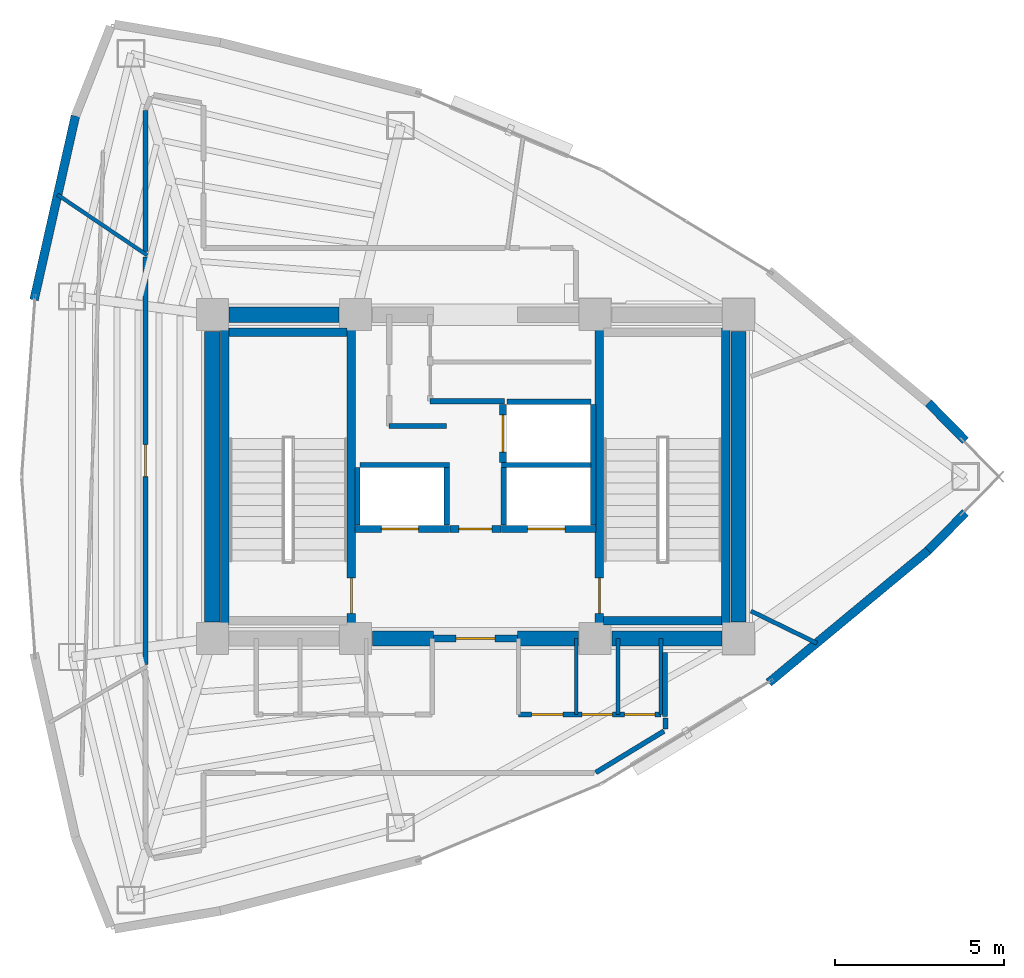
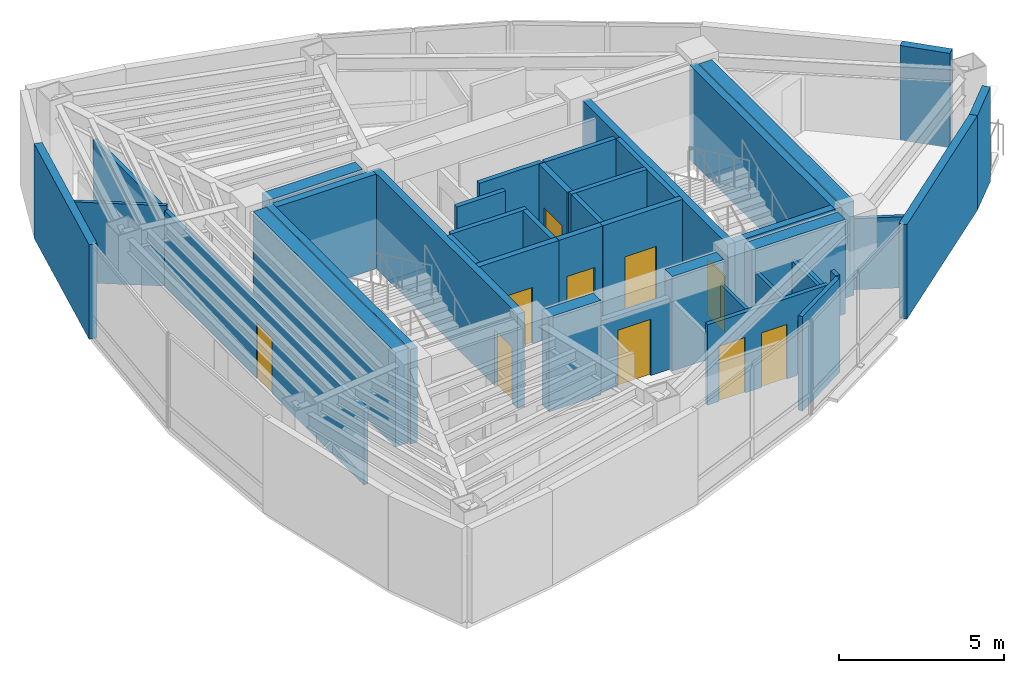
# One storey, part 12 of 16: 41 walls, 11 doors, 11 openings.
"""IFC4 building model written with IfcOpenShell, lengths in metres."""

from ifc_helpers import new_model, si_unit, direction, frame, frame_2d, origin, place, context, subcontext, project, spatial, rectangle, extrude, material, layer, layer_set, type_object, element, fill, save


model = new_model("IFC4")

# Units and contexts
model_context = context("Model", 3, precision=1e-05, world=origin(), true_north=direction((0.0, 1.0)))
body_context = subcontext(model_context, "Body", "Model", "MODEL_VIEW")
ifc_project = project(units=[si_unit("LENGTHUNIT", "METRE"), si_unit("AREAUNIT", "SQUARE_METRE"), si_unit("VOLUMEUNIT", "CUBIC_METRE"), si_unit("PLANEANGLEUNIT", "RADIAN"), si_unit("MASSUNIT", "GRAM", prefix="KILO")], contexts=[model_context])

# Site, building, storey
site_placement = place(None, origin())
site = spatial("IfcSite", under=ifc_project, at=site_placement, CompositionType="ELEMENT")
building_placement = place(site_placement, origin())
building = spatial("IfcBuilding", under=site, at=building_placement, Name="Menara Vayukalpa", CompositionType="ELEMENT")
storey_placement = place(building_placement, frame((0.0, 0.0, 273.179931640625)))
storey = spatial("IfcBuildingStorey", under=building, at=storey_placement, Name="L69", CompositionType="ELEMENT", Elevation=273.179931640625)

# Walls
ifc_material_1 = material(Name="Concrete C50/60", Category="concrete")
ifc_layer_1 = layer(ifc_material_1, 0.449951171875)
ifc_layer_set_1 = layer_set([ifc_layer_1], Name="Concrete C50/60")
wall_type_1 = type_object("IfcWallType", Name="WAL-CW450", PredefinedType="SHEAR", material=ifc_layer_set_1)
wall_1_placement = place(storey_placement, frame((22.544921875, 17.199951171875, 0.0), z_axis=(0.0, 0.0, 1.0), x_axis=(1.0, 0.0, 0.0)))
element("IfcWall", 1, at=wall_1_placement, inside=storey, type_object=wall_type_1, Name="L69 Buttressed Core Shear Wall CWS2", PredefinedType="SHEAR", context=body_context, shape_type="SweptSolid", body=[
    extrude(rectangle(XDim=1.80517578125, YDim=0.449951171875, at=frame_2d((0.902587890625, 0.0))), origin(), (0.0, 0.0, 1.0), 3.5),
])
wall_2_placement = place(storey_placement, frame((26.85009765625, 17.199951171875, 0.0), z_axis=(0.0, 0.0, 1.0), x_axis=(1.0, 0.0, 0.0)))
element("IfcWall", 2, at=wall_2_placement, inside=storey, type_object=wall_type_1, Name="L69 Buttressed Core Shear Wall CWS3", PredefinedType="SHEAR", context=body_context, shape_type="SweptSolid", body=[
    extrude(rectangle(XDim=1.804931640625, YDim=0.449951171875, at=frame_2d((0.90234375, 0.0))), origin(), (0.0, 0.0, 1.0), 3.5),
])
for number, where, z_axis, x_axis, name in (
    (3, (29.64501953125, 17.199951171875, 0.0), (0.0, 0.0, 1.0), (1.0, 0.0, 0.0), "L69 Buttressed Core Shear Wall CWS4"),
    (4, (18.294921875, 26.800048828125, 0.0), (0.0, 0.0, 1.0), (1.0, 0.0, 0.0), "L69 Buttressed Core Shear Wall CWN1"),
):
    element("IfcWall", number, at=place(storey_placement, frame(where, z_axis=z_axis, x_axis=x_axis)), inside=storey, type_object=wall_type_1, Name=name, PredefinedType="SHEAR", context=body_context, shape_type="SweptSolid", body=[
        extrude(rectangle(XDim=3.260009765625, YDim=0.449951171875, at=frame_2d((1.6298828125, 0.0))), origin(), (0.0, 0.0, 1.0), 3.5),
    ])
for number, where, z_axis, x_axis, name in (
    (5, (17.800048828125, 17.695068359375, 0.0), (0.0, 0.0, 1.0), (0.0, 1.0, 0.0), "L69 Buttressed Core Shear Wall CWW1"),
    (6, (33.39990234375, 17.695068359375, 0.0), (0.0, 0.0, 1.0), (0.0, 1.0, 0.0), "L69 Buttressed Core Shear Wall CWE1"),
):
    element("IfcWall", number, at=place(storey_placement, frame(where, z_axis=z_axis, x_axis=x_axis)), inside=storey, type_object=wall_type_1, Name=name, PredefinedType="SHEAR", context=body_context, shape_type="SweptSolid", body=[
        extrude(rectangle(XDim=8.60986328125, YDim=0.449951171875, at=frame_2d((4.304931640625, 0.0))), origin(), (0.0, 0.0, 1.0), 3.5),
    ])
ifc_material_2 = material(Name="Insulated Precast Concrete C40/50", Category="concrete")
ifc_layer_2 = layer(ifc_material_2, 0.260009765625)
ifc_layer_set_2 = layer_set([ifc_layer_2], Name="Insulated Precast Concrete C40/50")
wall_type_2 = type_object("IfcWallType", Name="WAL-EXT260", PredefinedType="PARTITIONING", material=ifc_layer_set_2)
for number, where, z_axis, x_axis, name in (
    (7, (40.1240234375, 20.932861328125, 0.0), (0.0, 0.0, 1.0), (-0.700470648387, -0.71368121087, 0.0), "L69 Perimeter Terracotta Pier Wall 01"),
    (8, (39.023681640625, 24.188232421875, 0.0), (0.0, 0.0, 1.0), (0.700470648387, -0.71368121087, 0.0), "L69 Perimeter Terracotta Pier Wall 02"),
):
    element("IfcWall", number, at=place(storey_placement, frame(where, z_axis=z_axis, x_axis=x_axis)), inside=storey, type_object=wall_type_2, Name=name, PredefinedType="PARTITIONING", context=body_context, shape_type="SweptSolid", body=[
        extrude(rectangle(XDim=1.57080078125, YDim=0.260009765625, at=frame_2d((0.785400390625, 0.0))), origin(), (0.0, 0.0, 1.0), 3.5),
    ])
wall_3_placement = place(storey_placement, frame((12.514892578125, 27.239501953125, 0.0), z_axis=(0.0, 0.0, 1.0), x_axis=(0.219500763731, 0.97561232809, 0.0)))
element("IfcWall", 9, at=wall_3_placement, inside=storey, type_object=wall_type_2, Name="L69 Perimeter Terracotta Pier Wall 09", PredefinedType="PARTITIONING", context=body_context, shape_type="SweptSolid", body=[
    extrude(rectangle(XDim=5.590087890625, YDim=0.260009765625, at=frame_2d((2.794921875, 0.0))), origin(), (0.0, 0.0, 1.0), 3.5),
])
wall_4_placement = place(storey_placement, frame((39.032470703125, 19.81982421875, 0.0), z_axis=(0.0, 0.0, 1.0), x_axis=(-0.769779830138, -0.638309496337, 0.0)))
element("IfcWall", 10, at=wall_4_placement, inside=storey, type_object=wall_type_2, Name="L69 Perimeter Terracotta Pier Wall 18", PredefinedType="PARTITIONING", context=body_context, shape_type="SweptSolid", body=[
    extrude(rectangle(XDim=6.154052734375, YDim=0.260009765625, at=frame_2d((3.0771484375, 0.0))), origin(), (0.0, 0.0, 1.0), 3.5),
])
ifc_material_3 = material(Name="Lightweight Concrete Blockwork C16/20", Category="masonry")
ifc_layer_3 = layer(ifc_material_3, 0.159912109375)
ifc_layer_set_3 = layer_set([ifc_layer_3], Name="Lightweight Concrete Blockwork C16/20")
wall_type_3 = type_object("IfcWallType", Name="WAL-FR150", PredefinedType="PARTITIONING", material=ifc_layer_set_3)
for number, where, z_axis, x_axis, name in (
    (11, (22.10498046875, 20.56005859375, 0.0), (0.0, 0.0, 1.0), (0.0, 1.0, 0.0), "L69 Interior Partition IW-L69-SHW-WW"),
    (12, (24.7548828125, 20.56005859375, 0.0), (0.0, 0.0, 1.0), (0.0, 1.0, 0.0), "L69 Interior Partition IW-L69-SHW-W1E"),
):
    element("IfcWall", number, at=place(storey_placement, frame(where, z_axis=z_axis, x_axis=x_axis)), inside=storey, type_object=wall_type_3, Name=name, PredefinedType="PARTITIONING", context=body_context, shape_type="SweptSolid", body=[
        extrude(rectangle(XDim=1.7099609375, YDim=0.159912109375, at=frame_2d((0.85498046875, 0.0))), origin(), (0.0, 0.0, 1.0), 3.5),
    ])
wall_5_placement = place(storey_placement, frame((22.179931640625, 22.344970703125, 0.0), z_axis=(0.0, 0.0, 1.0), x_axis=(1.0, 0.0, 0.0)))
element("IfcWall", 13, at=wall_5_placement, inside=storey, type_object=wall_type_3, Name="L69 Interior Partition IW-L69-SHM-W12", PredefinedType="PARTITIONING", context=body_context, shape_type="SweptSolid", body=[
    extrude(rectangle(XDim=2.650146484375, YDim=0.159912109375, at=frame_2d((1.3251953125, 0.0))), origin(), (0.0, 0.0, 1.0), 3.5),
])
wall_6_placement = place(storey_placement, frame((29.094970703125, 20.56005859375, 0.0), z_axis=(0.0, 0.0, 1.0), x_axis=(0.0, 1.0, 0.0)))
element("IfcWall", 14, at=wall_6_placement, inside=storey, type_object=wall_type_3, Name="L69 Interior Partition IW-L69-SHW-EE", PredefinedType="PARTITIONING", context=body_context, shape_type="SweptSolid", body=[
    extrude(rectangle(XDim=3.579833984375, YDim=0.159912109375, at=frame_2d((1.7900390625, 0.0))), origin(), (0.0, 0.0, 1.0), 3.5),
])
wall_7_placement = place(storey_placement, frame((26.445068359375, 20.56005859375, 0.0), z_axis=(0.0, 0.0, 1.0), x_axis=(0.0, 1.0, 0.0)))
element("IfcWall", 15, at=wall_7_placement, inside=storey, type_object=wall_type_3, Name="L69 Interior Partition IW-L69-SHW-E1W", PredefinedType="PARTITIONING", context=body_context, shape_type="SweptSolid", body=[
    extrude(rectangle(XDim=1.7099609375, YDim=0.159912109375, at=frame_2d((0.85498046875, 0.0))), origin(), (0.0, 0.0, 1.0), 3.5),
])
wall_8_placement = place(storey_placement, frame((26.3701171875, 22.344970703125, 0.0), z_axis=(0.0, 0.0, 1.0), x_axis=(1.0, 0.0, 0.0)))
element("IfcWall", 16, at=wall_8_placement, inside=storey, type_object=wall_type_3, Name="L69 Interior Partition IW-L69-SHM-E13", PredefinedType="PARTITIONING", context=body_context, shape_type="SweptSolid", body=[
    extrude(rectangle(XDim=2.64990234375, YDim=0.159912109375, at=frame_2d((1.324951171875, 0.0))), origin(), (0.0, 0.0, 1.0), 3.5),
])
wall_9_placement = place(storey_placement, frame((26.530029296875, 24.215087890625, 0.0), z_axis=(0.0, 0.0, 1.0), x_axis=(1.0, 0.0, 0.0)))
element("IfcWall", 17, at=wall_9_placement, inside=storey, type_object=wall_type_3, Name="L69 Interior Partition IW-L69-SHM-E32", PredefinedType="PARTITIONING", context=body_context, shape_type="SweptSolid", body=[
    extrude(rectangle(XDim=2.489990234375, YDim=0.159912109375, at=frame_2d((1.2451171875, 0.0))), origin(), (0.0, 0.0, 1.0), 3.5),
])
wall_10_placement = place(storey_placement, frame((23.0400390625, 23.5, 0.0), z_axis=(0.0, 0.0, 1.0), x_axis=(1.0, 0.0, 0.0)))
element("IfcWall", 18, at=wall_10_placement, inside=storey, type_object=wall_type_3, Name="L69 Interior Partition IW-L69-LV7WA", PredefinedType="PARTITIONING", context=body_context, shape_type="SweptSolid", body=[
    extrude(rectangle(XDim=1.699951171875, YDim=0.159912109375, at=frame_2d((0.85009765625, 0.0))), origin(), (0.0, 0.0, 1.0), 3.5),
])
wall_11_placement = place(storey_placement, frame((24.260009765625, 24.239990234375, 0.0), z_axis=(0.0, 0.0, 1.0), x_axis=(1.0, 0.0, 0.0)))
element("IfcWall", 19, at=wall_11_placement, inside=storey, type_object=wall_type_3, Name="L69 Interior Partition IW-L69-LV7EA", PredefinedType="PARTITIONING", context=body_context, shape_type="SweptSolid", body=[
    extrude(rectangle(XDim=2.199951171875, YDim=0.159912109375, at=frame_2d((1.10009765625, 0.0))), origin(), (0.0, 0.0, 1.0), 3.5),
])

# Wall, opening, door
ifc_material_4 = material(Name="Lightweight Concrete Blockwork C16/20", Category="masonry")
ifc_layer_4 = layer(ifc_material_4, 0.199951171875)
ifc_layer_set_4 = layer_set([ifc_layer_4], Name="Lightweight Concrete Blockwork C16/20")
wall_type_4 = type_object("IfcWallType", Name="WAL-FR200", PredefinedType="PARTITIONING", material=ifc_layer_set_4)
wall_12_placement = place(storey_placement, frame((24.35009765625, 17.199951171875, 0.0), z_axis=(0.0, 0.0, 1.0), x_axis=(1.0, 0.0, 0.0)))
wall_12 = element("IfcWall", 20, at=wall_12_placement, inside=storey, type_object=wall_type_4, Name="L69 Interior Partition IW-L69-FFLS", PredefinedType="PARTITIONING", context=body_context, shape_type="SweptSolid", body=[
    extrude(rectangle(XDim=2.5, YDim=0.199951171875, at=frame_2d((1.25, 0.0))), origin(), (0.0, 0.0, 1.0), 2.630126953125),
])
opening_1_placement = place(wall_12_placement, frame((0.679931640625, 0.0, 0.0)))
opening_1 = element("IfcOpeningElement", 21, at=opening_1_placement, cuts=wall_12, Name="Opening ID2", PredefinedType="OPENING", context=body_context, shape_type="SweptSolid", body=[
    extrude(rectangle(XDim=1.14990234375, YDim=2.080078125, at=frame_2d((0.574951171875, 1.0400390625))), frame((0.0, 0.10986328125, 0.0), z_axis=(0.0, -1.0, 0.0), x_axis=(1.0, 0.0, 0.0)), (0.0, 0.0, 1.0), 0.219970703125),
])
ifc_material_5 = material(Name="Fire-Rated Powder-Coated Steel Door", Category="steel")
door_type_1 = type_object("IfcDoorType", Name="DR-FD60W", OperationType="NOTDEFINED", PredefinedType="DOOR", material=ifc_material_5)
door_1_placement = place(opening_1_placement, origin())
door_1 = element("IfcDoor", 22, at=door_1_placement, inside=storey, type_object=door_type_1, Name="L69 Interior Door DR-L69-FFLS", OperationType="SINGLE_SWING_RIGHT", OverallHeight=2.080078125, OverallWidth=1.14990234375, PredefinedType="DOOR", context=body_context, shape_type="SweptSolid", body=[
    extrude(rectangle(XDim=1.14990234375, YDim=2.080078125, at=frame_2d((0.574951171875, 1.0400390625))), frame((0.0, 0.02490234375, 0.0), z_axis=(0.0, -1.0, 0.0), x_axis=(1.0, 0.0, 0.0)), (0.0, 0.0, 1.0), 0.050048828125),
])
fill(opening_1, door_1)

wall_13_placement = place(storey_placement, frame((24.840087890625, 20.449951171875, 0.0), z_axis=(0.0, 0.0, 1.0), x_axis=(1.0, 0.0, 0.0)))
wall_13 = element("IfcWall", 23, at=wall_13_placement, inside=storey, type_object=wall_type_4, Name="L69 Interior Partition IW-L69-FFLN", PredefinedType="PARTITIONING", context=body_context, shape_type="SweptSolid", body=[
    extrude(rectangle(XDim=1.52001953125, YDim=0.199951171875, at=frame_2d((0.760009765625, 0.0))), origin(), (0.0, 0.0, 1.0), 3.5),
])
opening_2_placement = place(wall_13_placement, frame((0.27001953125, 0.0, 0.0)))
opening_2 = element("IfcOpeningElement", 24, at=opening_2_placement, cuts=wall_13, Name="Opening ID3", PredefinedType="OPENING", context=body_context, shape_type="SweptSolid", body=[
    extrude(rectangle(XDim=0.97998046875, YDim=2.06005859375, at=frame_2d((0.489990234375, 1.030029296875))), frame((0.0, 0.10986328125, 0.0), z_axis=(0.0, -1.0, 0.0), x_axis=(1.0, 0.0, 0.0)), (0.0, 0.0, 1.0), 0.219970703125),
])
ifc_material_6 = material(Name="Fire-Rated Powder-Coated Steel Door", Category="steel")
door_type_2 = type_object("IfcDoorType", Name="DR-FD60", OperationType="NOTDEFINED", PredefinedType="DOOR", material=ifc_material_6)
door_2_placement = place(opening_2_placement, origin())
door_2 = element("IfcDoor", 25, at=door_2_placement, inside=storey, type_object=door_type_2, Name="L69 Interior Door DR-L69-FFLN", OperationType="SINGLE_SWING_LEFT", OverallHeight=2.06005859375, OverallWidth=0.97998046875, PredefinedType="DOOR", context=body_context, shape_type="SweptSolid", body=[
    extrude(rectangle(XDim=0.97998046875, YDim=2.06005859375, at=frame_2d((0.489990234375, 1.030029296875))), frame((0.0, 0.02490234375, 0.0), z_axis=(0.0, -1.0, 0.0), x_axis=(1.0, 0.0, 0.0)), (0.0, 0.0, 1.0), 0.050048828125),
])
fill(opening_2, door_2)

wall_14_placement = place(storey_placement, frame((22.030029296875, 20.449951171875, 0.0), z_axis=(0.0, 0.0, 1.0), x_axis=(1.0, 0.0, 0.0)))
wall_14 = element("IfcWall", 26, at=wall_14_placement, inside=storey, type_object=wall_type_4, Name="L69 Interior Partition IW-L69-SH-W1", PredefinedType="PARTITIONING", context=body_context, shape_type="SweptSolid", body=[
    extrude(rectangle(XDim=2.800048828125, YDim=0.199951171875, at=frame_2d((1.39990234375, 0.0))), origin(), (0.0, 0.0, 1.0), 3.5),
])
opening_3_placement = place(wall_14_placement, frame((0.780029296875, 0.0, 0.0)))
opening_3 = element("IfcOpeningElement", 27, at=opening_3_placement, cuts=wall_14, Name="Opening LD1", PredefinedType="OPENING", context=body_context, shape_type="SweptSolid", body=[
    extrude(rectangle(XDim=1.10009765625, YDim=2.080078125, at=frame_2d((0.550048828125, 1.0400390625))), frame((0.0, 0.10986328125, 0.0), z_axis=(0.0, -1.0, 0.0), x_axis=(1.0, 0.0, 0.0)), (0.0, 0.0, 1.0), 0.219970703125),
])
ifc_material_7 = material(Name="Brushed Stainless Steel 316 Lift Door", Category="steel")
door_type_3 = type_object("IfcDoorType", Name="DR-LD110", OperationType="NOTDEFINED", PredefinedType="DOOR", material=ifc_material_7)
door_3_placement = place(opening_3_placement, origin())
door_3 = element("IfcDoor", 28, at=door_3_placement, inside=storey, type_object=door_type_3, Name="L69 Interior Door DR-L69-LD-W1", OperationType="DOUBLE_DOOR_SLIDING", OverallHeight=2.080078125, OverallWidth=1.10009765625, PredefinedType="DOOR", context=body_context, shape_type="SweptSolid", body=[
    extrude(rectangle(XDim=1.10009765625, YDim=2.080078125, at=frame_2d((0.550048828125, 1.0400390625))), frame((0.0, 0.02490234375, 0.0), z_axis=(0.0, -1.0, 0.0), x_axis=(1.0, 0.0, 0.0)), (0.0, 0.0, 1.0), 0.050048828125),
])
fill(opening_3, door_3)

wall_15_placement = place(storey_placement, frame((26.3701171875, 20.449951171875, 0.0), z_axis=(0.0, 0.0, 1.0), x_axis=(1.0, 0.0, 0.0)))
wall_15 = element("IfcWall", 29, at=wall_15_placement, inside=storey, type_object=wall_type_4, Name="L69 Interior Partition IW-L69-SH-E1", PredefinedType="PARTITIONING", context=body_context, shape_type="SweptSolid", body=[
    extrude(rectangle(XDim=2.7998046875, YDim=0.199951171875, at=frame_2d((1.39990234375, 0.0))), origin(), (0.0, 0.0, 1.0), 3.5),
])
opening_4_placement = place(wall_15_placement, frame((0.780029296875, 0.0, 0.0)))
opening_4 = element("IfcOpeningElement", 30, at=opening_4_placement, cuts=wall_15, Name="Opening LD1", PredefinedType="OPENING", context=body_context, shape_type="SweptSolid", body=[
    extrude(rectangle(XDim=1.10009765625, YDim=2.080078125, at=frame_2d((0.550048828125, 1.0400390625))), frame((0.0, 0.10986328125, 0.0), z_axis=(0.0, -1.0, 0.0), x_axis=(1.0, 0.0, 0.0)), (0.0, 0.0, 1.0), 0.219970703125),
])
door_4_placement = place(opening_4_placement, origin())
door_4 = element("IfcDoor", 31, at=door_4_placement, inside=storey, type_object=door_type_3, Name="L69 Interior Door DR-L69-LD-E1", OperationType="DOUBLE_DOOR_SLIDING", OverallHeight=2.080078125, OverallWidth=1.10009765625, PredefinedType="DOOR", context=body_context, shape_type="SweptSolid", body=[
    extrude(rectangle(XDim=1.10009765625, YDim=2.080078125, at=frame_2d((0.550048828125, 1.0400390625))), frame((0.0, 0.02490234375, 0.0), z_axis=(0.0, -1.0, 0.0), x_axis=(1.0, 0.0, 0.0)), (0.0, 0.0, 1.0), 0.050048828125),
])
fill(opening_4, door_4)

wall_16_placement = place(storey_placement, frame((26.419921875, 22.419921875, 0.0), z_axis=(0.0, 0.0, 1.0), x_axis=(0.0, 1.0, 0.0)))
wall_16 = element("IfcWall", 32, at=wall_16_placement, inside=storey, type_object=wall_type_4, Name="L69 Interior Partition IW-L69-SH-E3", PredefinedType="PARTITIONING", context=body_context, shape_type="SweptSolid", body=[
    extrude(rectangle(XDim=1.719970703125, YDim=0.199951171875, at=frame_2d((0.85986328125, 0.0))), origin(), (0.0, 0.0, 1.0), 3.5),
])
opening_5_placement = place(wall_16_placement, frame((0.31005859375, 0.0, 0.0)))
opening_5 = element("IfcOpeningElement", 33, at=opening_5_placement, cuts=wall_16, Name="Opening LD1", PredefinedType="OPENING", context=body_context, shape_type="SweptSolid", body=[
    extrude(rectangle(XDim=1.10009765625, YDim=2.080078125, at=frame_2d((0.550048828125, 1.0400390625))), frame((0.0, 0.10986328125, 0.0), z_axis=(0.0, -1.0, 0.0), x_axis=(1.0, 0.0, 0.0)), (0.0, 0.0, 1.0), 0.219970703125),
])
door_5_placement = place(opening_5_placement, origin())
door_5 = element("IfcDoor", 34, at=door_5_placement, inside=storey, type_object=door_type_3, Name="L69 Interior Door DR-L69-LD-E3", OperationType="DOUBLE_DOOR_SLIDING", OverallHeight=2.080078125, OverallWidth=1.10009765625, PredefinedType="DOOR", context=body_context, shape_type="SweptSolid", body=[
    extrude(rectangle(XDim=1.10009765625, YDim=2.080078125, at=frame_2d((0.550048828125, 1.0400390625))), frame((0.0, 0.02490234375, 0.0), z_axis=(0.0, -1.0, 0.0), x_axis=(1.0, 0.0, 0.0)), (0.0, 0.0, 1.0), 0.050048828125),
])
fill(opening_5, door_5)

# Walls
ifc_material_8 = material(Name="Acoustic Mineral Stud Partition", Category="masonry")
ifc_layer_5 = layer(ifc_material_8, 0.110107421875)
ifc_layer_set_5 = layer_set([ifc_layer_5], Name="Acoustic Mineral Stud Partition")
wall_type_5 = type_object("IfcWallType", Name="WAL-PT110", PredefinedType="PARTITIONING", material=ifc_layer_set_5)
wall_17_placement = place(storey_placement, frame((28.590087890625, 14.949951171875, 0.0), z_axis=(0.0, 0.0, 1.0), x_axis=(0.0, 1.0, 0.0)))
element("IfcWall", 35, at=wall_17_placement, inside=storey, type_object=wall_type_5, Name="L69 Interior Partition IW-L69-SVCD-06", PredefinedType="PARTITIONING", context=body_context, shape_type="SweptSolid", body=[
    extrude(rectangle(XDim=2.25, YDim=0.110107421875, at=frame_2d((1.125, 0.0))), origin(), (0.0, 0.0, 1.0), 2.630126953125),
])
wall_18_placement = place(storey_placement, frame((15.8701171875, 28.56298828125, 0.0), z_axis=(0.0, 0.0, 1.0), x_axis=(-0.829068851848, 0.559146527214, 0.0)))
element("IfcWall", 36, at=wall_18_placement, inside=storey, type_object=wall_type_5, Name="L69 Interior Partition IW-L69-RDIV03", PredefinedType="PARTITIONING", context=body_context, shape_type="SweptSolid", body=[
    extrude(rectangle(XDim=3.212646484375, YDim=0.110107421875, at=frame_2d((1.6064453125, 0.0))), origin(), (0.0, 0.0, 1.0), 2.97998046875),
])
ifc_material_9 = material(Name="Gypsum Drywall Steel Stud Assembly", Category="steel")
ifc_layer_6 = layer(ifc_material_9, 0.125)
ifc_layer_set_6 = layer_set([ifc_layer_6], Name="Gypsum Drywall Steel Stud Assembly")
wall_type_6 = type_object("IfcWallType", Name="WAL-PT125", PredefinedType="PARTITIONING", material=ifc_layer_set_6)
for number, where, z_axis, x_axis, name in (
    (37, (29.830078125, 14.949951171875, 0.0), (0.0, 0.0, 1.0), (0.0, 1.0, 0.0), "L69 Interior Partition IW-L69-SVCD-07"),
    (38, (31.10009765625, 14.949951171875, 0.0), (0.0, 0.0, 1.0), (0.0, 1.0, 0.0), "L69 Interior Partition IW-L69-SVCD-08"),
):
    element("IfcWall", number, at=place(storey_placement, frame(where, z_axis=z_axis, x_axis=x_axis)), inside=storey, type_object=wall_type_6, Name=name, PredefinedType="PARTITIONING", context=body_context, shape_type="SweptSolid", body=[
        extrude(rectangle(XDim=2.25, YDim=0.125, at=frame_2d((1.125, 0.0))), origin(), (0.0, 0.0, 1.0), 2.630126953125),
    ])
wall_19_placement = place(storey_placement, frame((33.77001953125, 18.01513671875, 0.0), z_axis=(0.0, 0.0, 1.0), x_axis=(0.898787880347, -0.438383788639, 0.0)))
element("IfcWall", 39, at=wall_19_placement, inside=storey, type_object=wall_type_6, Name="L69 Interior Partition IW-L69-RDIV05", PredefinedType="PARTITIONING", context=body_context, shape_type="SweptSolid", body=[
    extrude(rectangle(XDim=2.173095703125, YDim=0.125, at=frame_2d((1.08642578125, 0.0))), origin(), (0.0, 0.0, 1.0), 2.630126953125),
])

# Wall, openings, doors
ifc_material_10 = material(Name="Gypsum Drywall Acoustic Stud Assembly", Category="masonry")
ifc_layer_7 = layer(ifc_material_10, 0.14501953125)
ifc_layer_set_7 = layer_set([ifc_layer_7], Name="Gypsum Drywall Acoustic Stud Assembly")
wall_type_7 = type_object("IfcWallType", Name="WAL-PT150", PredefinedType="PARTITIONING", material=ifc_layer_set_7)
wall_20_placement = place(storey_placement, frame((26.8798828125, 14.949951171875, 0.0), z_axis=(0.0, 0.0, 1.0), x_axis=(1.0, 0.0, 0.0)))
wall_20 = element("IfcWall", 40, at=wall_20_placement, inside=storey, type_object=wall_type_7, Name="L69 Interior Partition IW-L69-SVCS-E", PredefinedType="PARTITIONING", context=body_context, shape_type="SweptSolid", body=[
    extrude(rectangle(XDim=4.22021484375, YDim=0.14501953125, at=frame_2d((2.110107421875, 0.0))), origin(), (0.0, 0.0, 1.0), 2.97998046875),
])
opening_6_placement = place(wall_20_placement, frame((0.389892578125, 0.0, 0.0)))
opening_6 = element("IfcOpeningElement", 41, at=opening_6_placement, cuts=wall_20, Name="Opening ID6", PredefinedType="OPENING", context=body_context, shape_type="SweptSolid", body=[
    extrude(rectangle(XDim=0.919921875, YDim=2.050048828125, at=frame_2d((0.4599609375, 1.02490234375))), frame((0.0, 0.08251953125, 0.0), z_axis=(0.0, -1.0, 0.0), x_axis=(1.0, 0.0, 0.0)), (0.0, 0.0, 1.0), 0.1650390625),
])
opening_7_placement = place(wall_20_placement, frame((1.8798828125, 0.0, 0.0)))
opening_7 = element("IfcOpeningElement", 42, at=opening_7_placement, cuts=wall_20, Name="Opening ID7", PredefinedType="OPENING", context=body_context, shape_type="SweptSolid", body=[
    extrude(rectangle(XDim=0.89990234375, YDim=2.02001953125, at=frame_2d((0.449951171875, 1.010009765625))), frame((0.0, 0.08251953125, 0.0), z_axis=(0.0, -1.0, 0.0), x_axis=(1.0, 0.0, 0.0)), (0.0, 0.0, 1.0), 0.1650390625),
])
opening_8_placement = place(wall_20_placement, frame((3.139892578125, 0.0, 0.0)))
opening_8 = element("IfcOpeningElement", 43, at=opening_8_placement, cuts=wall_20, Name="Opening ID7", PredefinedType="OPENING", context=body_context, shape_type="SweptSolid", body=[
    extrude(rectangle(XDim=0.89990234375, YDim=2.02001953125, at=frame_2d((0.449951171875, 1.010009765625))), frame((0.0, 0.08251953125, 0.0), z_axis=(0.0, -1.0, 0.0), x_axis=(1.0, 0.0, 0.0)), (0.0, 0.0, 1.0), 0.1650390625),
])
ifc_material_11 = material(Name="Acoustic Hardwood Veneer Timber Door", Category="wood")
door_type_4 = type_object("IfcDoorType", Name="DR-INT92", OperationType="NOTDEFINED", PredefinedType="DOOR", material=ifc_material_11)
door_6_placement = place(opening_6_placement, origin())
door_6 = element("IfcDoor", 44, at=door_6_placement, inside=storey, type_object=door_type_4, Name="L69 Interior Door DR-L69-KSV1", OperationType="SINGLE_SWING_RIGHT", OverallHeight=2.050048828125, OverallWidth=0.919921875, PredefinedType="DOOR", context=body_context, shape_type="SweptSolid", body=[
    extrude(rectangle(XDim=0.919921875, YDim=2.050048828125, at=frame_2d((0.4599609375, 1.02490234375))), frame((0.0, 0.02490234375, 0.0), z_axis=(0.0, -1.0, 0.0), x_axis=(1.0, 0.0, 0.0)), (0.0, 0.0, 1.0), 0.050048828125),
])
fill(opening_6, door_6)
ifc_material_12 = material(Name="Powder-Coated Steel Riser Access Door", Category="steel")
door_type_5 = type_object("IfcDoorType", Name="DR-RISER", OperationType="NOTDEFINED", PredefinedType="DOOR", material=ifc_material_12)
door_7_placement = place(opening_7_placement, origin())
door_7 = element("IfcDoor", 45, at=door_7_placement, inside=storey, type_object=door_type_5, Name="L69 Interior Door DR-L69-KSV2", OperationType="SINGLE_SWING_LEFT", OverallHeight=2.02001953125, OverallWidth=0.89990234375, PredefinedType="DOOR", context=body_context, shape_type="SweptSolid", body=[
    extrude(rectangle(XDim=0.89990234375, YDim=2.02001953125, at=frame_2d((0.449951171875, 1.010009765625))), frame((0.0, 0.02490234375, 0.0), z_axis=(0.0, -1.0, 0.0), x_axis=(1.0, 0.0, 0.0)), (0.0, 0.0, 1.0), 0.050048828125),
])
fill(opening_7, door_7)
door_8_placement = place(opening_8_placement, origin())
door_8 = element("IfcDoor", 46, at=door_8_placement, inside=storey, type_object=door_type_5, Name="L69 Interior Door DR-L69-SMD", OperationType="SINGLE_SWING_RIGHT", OverallHeight=2.02001953125, OverallWidth=0.89990234375, PredefinedType="DOOR", context=body_context, shape_type="SweptSolid", body=[
    extrude(rectangle(XDim=0.89990234375, YDim=2.02001953125, at=frame_2d((0.449951171875, 1.010009765625))), frame((0.0, 0.02490234375, 0.0), z_axis=(0.0, -1.0, 0.0), x_axis=(1.0, 0.0, 0.0)), (0.0, 0.0, 1.0), 0.050048828125),
])
fill(opening_8, door_8)

# Walls
wall_21_placement = place(storey_placement, frame((29.167724609375, 13.228515625, 0.0), z_axis=(0.0, 0.0, 1.0), x_axis=(0.854678044033, 0.519158396876, 0.0)))
element("IfcWall", 47, at=wall_21_placement, inside=storey, type_object=wall_type_7, Name="L69 Interior Partition IW-L69-CRM02-6", PredefinedType="PARTITIONING", context=body_context, shape_type="SweptSolid", body=[
    extrude(rectangle(XDim=2.36767578125, YDim=0.14501953125, at=frame_2d((1.183837890625, 0.0))), origin(), (0.0, 0.0, 1.0), 3.5),
])
wall_22_placement = place(storey_placement, frame((31.22998046875, 14.526123046875, 0.0), z_axis=(0.0, 0.0, 1.0), x_axis=(0.0, 1.0, 0.0)))
element("IfcWall", 48, at=wall_22_placement, inside=storey, type_object=wall_type_7, Name="L69 Interior Partition IW-L69-CRM02-7", PredefinedType="PARTITIONING", context=body_context, shape_type="SweptSolid", body=[
    extrude(rectangle(XDim=0.323974609375, YDim=0.14501953125, at=frame_2d((0.162109375, 0.0))), origin(), (0.0, 0.0, 1.0), 3.5),
])
wall_23_placement = place(storey_placement, frame((31.219970703125, 14.888671875, 0.0), z_axis=(0.0, 0.0, 1.0), x_axis=(0.0, 1.0, 0.0)))
element("IfcWall", 49, at=wall_23_placement, inside=storey, type_object=wall_type_7, Name="L69 Interior Partition IW-L69-CRM02-8", PredefinedType="PARTITIONING", context=body_context, shape_type="SweptSolid", body=[
    extrude(rectangle(XDim=1.891357421875, YDim=0.14501953125, at=frame_2d((0.94580078125, 0.0))), origin(), (0.0, 0.0, 1.0), 2.630126953125),
])
wall_24_placement = place(storey_placement, frame((15.820068359375, 32.853759765625, 0.0), z_axis=(0.0, 0.0, 1.0), x_axis=(0.0, -1.0, 0.0)))
element("IfcWall", 50, at=wall_24_placement, inside=storey, type_object=wall_type_7, Name="L69 Interior Partition IW-L69-CRM05-5", PredefinedType="PARTITIONING", context=body_context, shape_type="SweptSolid", body=[
    extrude(rectangle(XDim=4.172607421875, YDim=0.14501953125, at=frame_2d((2.08642578125, 0.0))), origin(), (0.0, 0.0, 1.0), 2.830078125),
])

# Wall, opening, door
wall_25_placement = place(storey_placement, frame((15.820068359375, 28.51220703125, 0.0), z_axis=(0.0, 0.0, 1.0), x_axis=(0.0, -1.0, 0.0)))
wall_25 = element("IfcWall", 51, at=wall_25_placement, inside=storey, type_object=wall_type_7, Name="L69 Interior Partition IW-L69-CRM07-1", PredefinedType="PARTITIONING", context=body_context, shape_type="SweptSolid", body=[
    extrude(rectangle(XDim=12.077880859375, YDim=0.14501953125, at=frame_2d((6.0390625, 0.0))), origin(), (0.0, 0.0, 1.0), 2.830078125),
])
opening_9_placement = place(wall_25_placement, frame((5.56396484375, 0.0, 0.0)))
opening_9 = element("IfcOpeningElement", 52, at=opening_9_placement, cuts=wall_25, Name="Opening ID5", PredefinedType="OPENING", context=body_context, shape_type="SweptSolid", body=[
    extrude(rectangle(XDim=0.949951171875, YDim=2.06005859375, at=frame_2d((0.47509765625, 1.030029296875))), frame((0.0, 0.08251953125, 0.0), z_axis=(0.0, -1.0, 0.0), x_axis=(1.0, 0.0, 0.0)), (0.0, 0.0, 1.0), 0.1650390625),
])
ifc_material_13 = material(Name="Acoustic Hardwood Veneer Timber Door", Category="wood")
door_type_6 = type_object("IfcDoorType", Name="DR-INT95", OperationType="NOTDEFINED", PredefinedType="DOOR", material=ifc_material_13)
door_9_placement = place(opening_9_placement, origin())
door_9 = element("IfcDoor", 53, at=door_9_placement, inside=storey, type_object=door_type_6, Name="L69 Interior Door DR-L69-RM07", OperationType="SINGLE_SWING_RIGHT", OverallHeight=2.06005859375, OverallWidth=0.949951171875, PredefinedType="DOOR", context=body_context, shape_type="SweptSolid", body=[
    extrude(rectangle(XDim=0.949951171875, YDim=2.06005859375, at=frame_2d((0.47509765625, 1.030029296875))), frame((0.0, 0.02490234375, 0.0), z_axis=(0.0, -1.0, 0.0), x_axis=(1.0, 0.0, 0.0)), (0.0, 0.0, 1.0), 0.050048828125),
])
fill(opening_9, door_9)

# Wall
ifc_material_14 = material(Name="Concrete C50/60", Category="concrete")
ifc_layer_8 = layer(ifc_material_14, 0.25)
ifc_layer_set_8 = layer_set([ifc_layer_8], Name="Concrete C50/60")
wall_type_8 = type_object("IfcWallType", Name="WAL-SW250", PredefinedType="SHEAR", material=ifc_layer_set_8)
wall_26_placement = place(storey_placement, frame((18.175048828125, 17.60009765625, 0.0), z_axis=(0.0, 0.0, 1.0), x_axis=(0.0, 1.0, 0.0)))
element("IfcWall", 54, at=wall_26_placement, inside=storey, type_object=wall_type_8, Name="L69 ST1 Structural Stair Shaft Wall W", PredefinedType="SHEAR", context=body_context, shape_type="SweptSolid", body=[
    extrude(rectangle(XDim=8.7998046875, YDim=0.25, at=frame_2d((4.39990234375, 0.0))), origin(), (0.0, 0.0, 1.0), 3.5),
])

# Wall, opening, door
wall_27_placement = place(storey_placement, frame((21.925048828125, 17.60009765625, 0.0), z_axis=(0.0, 0.0, 1.0), x_axis=(0.0, 1.0, 0.0)))
wall_27 = element("IfcWall", 55, at=wall_27_placement, inside=storey, type_object=wall_type_8, Name="L69 ST1 Structural Stair Shaft Wall E", PredefinedType="SHEAR", context=body_context, shape_type="SweptSolid", body=[
    extrude(rectangle(XDim=8.7998046875, YDim=0.25, at=frame_2d((4.39990234375, 0.0))), origin(), (0.0, 0.0, 1.0), 3.5),
])
opening_10_placement = place(wall_27_placement, frame((0.35009765625, 0.0, 0.0)))
opening_10 = element("IfcOpeningElement", 56, at=opening_10_placement, cuts=wall_27, Name="Opening ID1", PredefinedType="OPENING", context=body_context, shape_type="SweptSolid", body=[
    extrude(rectangle(XDim=1.050048828125, YDim=2.080078125, at=frame_2d((0.52490234375, 1.0400390625))), frame((0.0, 0.135009765625, 0.0), z_axis=(0.0, -1.0, 0.0), x_axis=(1.0, 0.0, 0.0)), (0.0, 0.0, 1.0), 0.27001953125),
])
ifc_material_15 = material(Name="Fire-Rated Powder-Coated Steel Door", Category="steel")
door_type_7 = type_object("IfcDoorType", Name="DR-FD120", OperationType="NOTDEFINED", PredefinedType="DOOR", material=ifc_material_15)
door_10_placement = place(opening_10_placement, origin())
door_10 = element("IfcDoor", 57, at=door_10_placement, inside=storey, type_object=door_type_7, Name="L69 Stair Exit Door DR-L69-ST1", OperationType="SINGLE_SWING_LEFT", OverallHeight=2.080078125, OverallWidth=1.050048828125, PredefinedType="DOOR", context=body_context, shape_type="SweptSolid", body=[
    extrude(rectangle(XDim=1.050048828125, YDim=2.080078125, at=frame_2d((0.52490234375, 1.0400390625))), frame((0.0, 0.02490234375, 0.0), z_axis=(0.0, -1.0, 0.0), x_axis=(1.0, 0.0, 0.0)), (0.0, 0.0, 1.0), 0.050048828125),
])
fill(opening_10, door_10)

# Wall
wall_28_placement = place(storey_placement, frame((18.300048828125, 26.27490234375, 0.0), z_axis=(0.0, 0.0, 1.0), x_axis=(1.0, 0.0, 0.0)))
element("IfcWall", 58, at=wall_28_placement, inside=storey, type_object=wall_type_8, Name="L69 ST1 Structural Stair Shaft Wall N", PredefinedType="SHEAR", context=body_context, shape_type="SweptSolid", body=[
    extrude(rectangle(XDim=3.5, YDim=0.25, at=frame_2d((1.75, 0.0))), origin(), (0.0, 0.0, 1.0), 3.5),
])

# Wall, opening, door
wall_29_placement = place(storey_placement, frame((29.27490234375, 17.60009765625, 0.0), z_axis=(0.0, 0.0, 1.0), x_axis=(0.0, 1.0, 0.0)))
wall_29 = element("IfcWall", 59, at=wall_29_placement, inside=storey, type_object=wall_type_8, Name="L69 ST2 Structural Stair Shaft Wall W", PredefinedType="SHEAR", context=body_context, shape_type="SweptSolid", body=[
    extrude(rectangle(XDim=8.7998046875, YDim=0.25, at=frame_2d((4.39990234375, 0.0))), origin(), (0.0, 0.0, 1.0), 3.5),
])
opening_11_placement = place(wall_29_placement, frame((0.35009765625, 0.0, 0.0)))
opening_11 = element("IfcOpeningElement", 60, at=opening_11_placement, cuts=wall_29, Name="Opening ID1", PredefinedType="OPENING", context=body_context, shape_type="SweptSolid", body=[
    extrude(rectangle(XDim=1.050048828125, YDim=2.080078125, at=frame_2d((0.52490234375, 1.0400390625))), frame((0.0, 0.135009765625, 0.0), z_axis=(0.0, -1.0, 0.0), x_axis=(1.0, 0.0, 0.0)), (0.0, 0.0, 1.0), 0.27001953125),
])
door_11_placement = place(opening_11_placement, origin())
door_11 = element("IfcDoor", 61, at=door_11_placement, inside=storey, type_object=door_type_7, Name="L69 Stair Exit Door DR-L69-ST2", OperationType="SINGLE_SWING_RIGHT", OverallHeight=2.080078125, OverallWidth=1.050048828125, PredefinedType="DOOR", context=body_context, shape_type="SweptSolid", body=[
    extrude(rectangle(XDim=1.050048828125, YDim=2.080078125, at=frame_2d((0.52490234375, 1.0400390625))), frame((0.0, 0.02490234375, 0.0), z_axis=(0.0, -1.0, 0.0), x_axis=(1.0, 0.0, 0.0)), (0.0, 0.0, 1.0), 0.050048828125),
])
fill(opening_11, door_11)

# Walls
wall_30_placement = place(storey_placement, frame((33.02490234375, 17.60009765625, 0.0), z_axis=(0.0, 0.0, 1.0), x_axis=(0.0, 1.0, 0.0)))
element("IfcWall", 62, at=wall_30_placement, inside=storey, type_object=wall_type_8, Name="L69 ST2 Structural Stair Shaft Wall E", PredefinedType="SHEAR", context=body_context, shape_type="SweptSolid", body=[
    extrude(rectangle(XDim=8.7998046875, YDim=0.25, at=frame_2d((4.39990234375, 0.0))), origin(), (0.0, 0.0, 1.0), 3.5),
])
wall_31_placement = place(storey_placement, frame((29.39990234375, 17.72509765625, 0.0), z_axis=(0.0, 0.0, 1.0), x_axis=(1.0, 0.0, 0.0)))
element("IfcWall", 63, at=wall_31_placement, inside=storey, type_object=wall_type_8, Name="L69 ST2 Structural Stair Shaft Wall S", PredefinedType="SHEAR", context=body_context, shape_type="SweptSolid", body=[
    extrude(rectangle(XDim=3.5, YDim=0.25, at=frame_2d((1.75, 0.0))), origin(), (0.0, 0.0, 1.0), 3.5),
])

save(model, "model.ifc")
